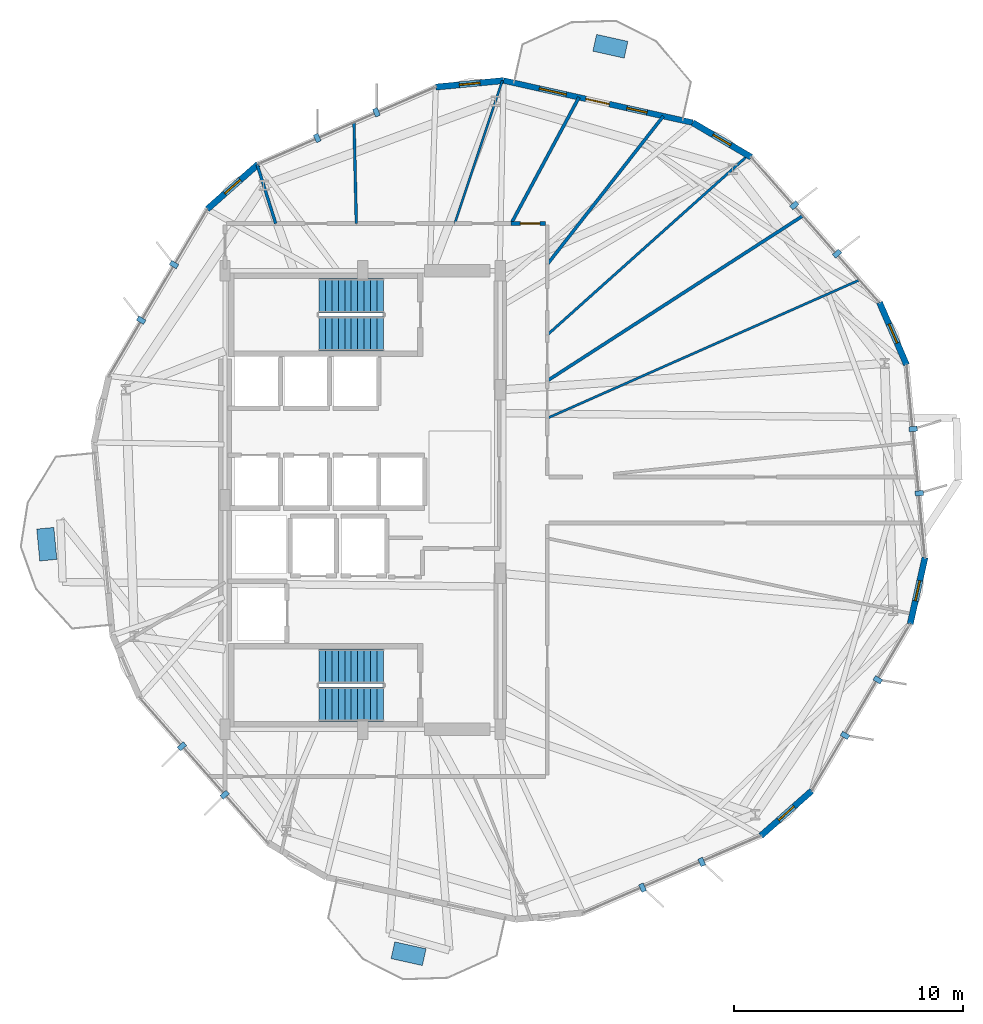
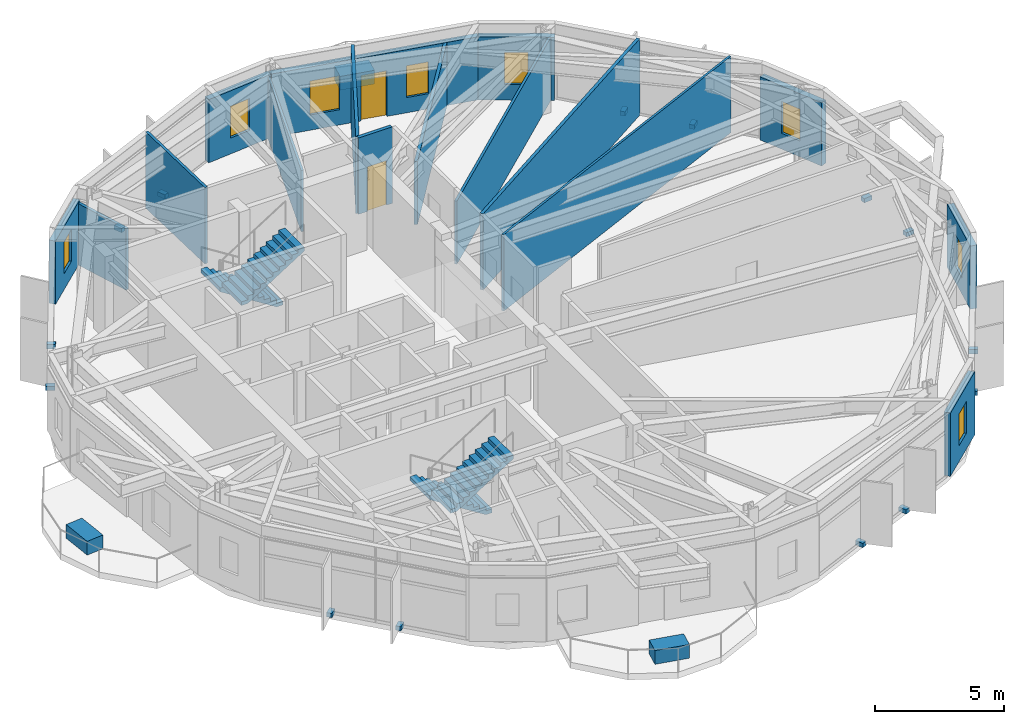
# One storey, part 20 of 23: 17 discrete accessories, 16 walls, 8 windows, 4 stair flights, 2 doors, 10 openings, 2 elements without a shape of their own.
"""IFC4 building model written with IfcOpenShell, lengths in metres."""

from ifc_helpers import new_model, si_unit, direction, frame, frame_2d, origin, origin_2d, place, context, subcontext, project, spatial, polyline, rectangle, outline, extrude, material, layer, layer_set, type_object, element, fill, aggregate, save


model = new_model("IFC4")

# Units and contexts
model_context = context("Model", 3, precision=1e-05, world=origin(), true_north=direction((0.0, 1.0)))
body_context = subcontext(model_context, "Body", "Model", "MODEL_VIEW")
ifc_project = project(units=[si_unit("LENGTHUNIT", "METRE"), si_unit("AREAUNIT", "SQUARE_METRE"), si_unit("VOLUMEUNIT", "CUBIC_METRE"), si_unit("PLANEANGLEUNIT", "RADIAN"), si_unit("MASSUNIT", "GRAM", prefix="KILO")], contexts=[model_context])

# Site, building, storey
site_placement = place(None, origin())
site = spatial("IfcSite", under=ifc_project, at=site_placement, CompositionType="ELEMENT")
building_placement = place(site_placement, origin())
building = spatial("IfcBuilding", under=site, at=building_placement, Name="Soratama Intermodal Tower", CompositionType="ELEMENT")
storey_placement = place(building_placement, frame((0.0, 0.0, 118.60009765625)))
storey = spatial("IfcBuildingStorey", under=building, at=storey_placement, Name="L28", CompositionType="ELEMENT", Elevation=118.60009765625)

# Wall, openings, door, windows
ifc_material_1 = material(Name="Concrete f'c 42 MPa", Category="concrete")
ifc_layer_1 = layer(ifc_material_1, 0.25)
ifc_layer_set_1 = layer_set([ifc_layer_1], Name="Concrete f'c 42 MPa")
wall_type_1 = type_object("IfcWallType", Name="EW-BAL-250", PredefinedType="SOLIDWALL", material=ifc_layer_set_1)
wall_1_placement = place(storey_placement, frame((52.982421875, 41.448974609375, 0.0), z_axis=(0.0, 0.0, 1.0), x_axis=(-0.976144167336, 0.217123385606, 0.0)))
wall_1 = element("IfcWall", 1, at=wall_1_placement, inside=storey, type_object=wall_type_1, Name="L28 Terrace Wall F02", PredefinedType="SOLIDWALL", context=body_context, shape_type="SweptSolid", body=[
    extrude(rectangle(XDim=8.441162109375, YDim=0.25, at=frame_2d((4.220703125, 0.0))), origin(), (0.0, 0.0, 1.0), 2.97900390625),
])
opening_1_placement = place(wall_1_placement, frame((3.720703125, 0.0, 0.0)))
opening_1 = element("IfcOpeningElement", 2, at=opening_1_placement, cuts=wall_1, Name="Opening ED-5", PredefinedType="OPENING", context=body_context, shape_type="SweptSolid", body=[
    extrude(rectangle(XDim=1.050048828125, YDim=2.14990234375, at=frame_2d((0.52490234375, 1.074951171875))), frame((0.0, 0.135009765625, 0.0), z_axis=(0.0, -1.0, 0.0), x_axis=(1.0, 0.0, 0.0)), (0.0, 0.0, 1.0), 0.27001953125),
])
opening_2_placement = place(wall_1_placement, frame((2.035400390625, 0.0, 0.719970703125)))
opening_2 = element("IfcOpeningElement", 3, at=opening_2_placement, cuts=wall_1, Name="Opening WN-6", PredefinedType="OPENING", context=body_context, shape_type="SweptSolid", body=[
    extrude(rectangle(XDim=0.89990234375, YDim=1.5, at=frame_2d((0.449951171875, 0.75))), frame((0.0, 0.135009765625, 0.0), z_axis=(0.0, -1.0, 0.0), x_axis=(1.0, 0.0, 0.0)), (0.0, 0.0, 1.0), 0.27001953125),
])
opening_3_placement = place(wall_1_placement, frame((5.642333984375, 0.0, 0.719970703125)))
opening_3 = element("IfcOpeningElement", 4, at=opening_3_placement, cuts=wall_1, Name="Opening WN-2", PredefinedType="OPENING", context=body_context, shape_type="SweptSolid", body=[
    extrude(rectangle(XDim=1.199951171875, YDim=1.60009765625, at=frame_2d((0.60009765625, 0.800048828125))), frame((0.0, 0.135009765625, 0.0), z_axis=(0.0, -1.0, 0.0), x_axis=(1.0, 0.0, 0.0)), (0.0, 0.0, 1.0), 0.27001953125),
])
ifc_material_2 = material(Name="Double-glazed aluminium door", Category="aluminium")
door_type_1 = type_object("IfcDoorType", Name="DR-BAL-1050", OperationType="NOTDEFINED", PredefinedType="DOOR", material=ifc_material_2)
door_1_placement = place(opening_1_placement, origin())
door_1 = element("IfcDoor", 5, at=door_1_placement, inside=storey, type_object=door_type_1, Name="L28 Balcony Door F02", OperationType="SINGLE_SWING_RIGHT", OverallHeight=2.14990234375, OverallWidth=1.050048828125, PredefinedType="DOOR", context=body_context, shape_type="SweptSolid", body=[
    extrude(rectangle(XDim=1.050048828125, YDim=2.14990234375, at=frame_2d((0.52490234375, 1.074951171875))), frame((0.0, 0.02490234375, 0.0), z_axis=(0.0, -1.0, 0.0), x_axis=(1.0, 0.0, 0.0)), (0.0, 0.0, 1.0), 0.050048828125),
])
fill(opening_1, door_1)
ifc_material_3 = material(Name="Double-glazed aluminium window", Category="aluminium")
window_type_1 = type_object("IfcWindowType", Name="WN-FAC-1200", PartitioningType="SINGLE_PANEL", PredefinedType="WINDOW", material=ifc_material_3)
window_1_placement = place(opening_3_placement, origin())
window_1 = element("IfcWindow", 6, at=window_1_placement, inside=storey, type_object=window_type_1, Name="L28 Window B F02", OverallHeight=1.60009765625, OverallWidth=1.199951171875, PartitioningType="SINGLE_PANEL", PredefinedType="WINDOW", context=body_context, shape_type="SweptSolid", body=[
    extrude(rectangle(XDim=1.199951171875, YDim=1.60009765625, at=frame_2d((0.60009765625, 0.800048828125))), frame((0.0, 0.030029296875, 0.0), z_axis=(0.0, -1.0, 0.0), x_axis=(1.0, 0.0, 0.0)), (0.0, 0.0, 1.0), 0.06005859375),
])
fill(opening_3, window_1)
ifc_material_4 = material(Name="Double-glazed aluminium window", Category="aluminium")
window_type_2 = type_object("IfcWindowType", Name="WN-FAC-900", PartitioningType="SINGLE_PANEL", PredefinedType="WINDOW", material=ifc_material_4)
window_2_placement = place(opening_2_placement, origin())
window_2 = element("IfcWindow", 7, at=window_2_placement, inside=storey, type_object=window_type_2, Name="L28 Window A F02", OverallHeight=1.5, OverallWidth=0.89990234375, PartitioningType="SINGLE_PANEL", PredefinedType="WINDOW", context=body_context, shape_type="SweptSolid", body=[
    extrude(rectangle(XDim=0.89990234375, YDim=1.5, at=frame_2d((0.449951171875, 0.75))), frame((0.0, 0.030029296875, 0.0), z_axis=(0.0, -1.0, 0.0), x_axis=(1.0, 0.0, 0.0)), (0.0, 0.0, 1.0), 0.06005859375),
])
fill(opening_2, window_2)

# Wall, opening, window
ifc_material_5 = material(Name="Concrete f'c 42 MPa", Category="concrete")
ifc_layer_2 = layer(ifc_material_5, 0.27001953125)
ifc_layer_set_2 = layer_set([ifc_layer_2], Name="Concrete f'c 42 MPa")
wall_type_2 = type_object("IfcWallType", Name="EW-CRN-270", PredefinedType="SOLIDWALL", material=ifc_layer_set_2)
wall_2_placement = place(storey_placement, frame((55.53759765625, 39.941650390625, 0.0), z_axis=(0.0, 0.0, 1.0), x_axis=(-0.861303111476, 0.508091478144, 0.0)))
wall_2 = element("IfcWall", 8, at=wall_2_placement, inside=storey, type_object=wall_type_2, Name="L28 Corner Closure Wall 01", PredefinedType="SOLIDWALL", context=body_context, shape_type="SweptSolid", body=[
    extrude(rectangle(XDim=2.966552734375, YDim=0.27001953125, at=frame_2d((1.4833984375, 0.0))), origin(), (0.0, 0.0, 1.0), 2.97900390625),
])
opening_4_placement = place(wall_2_placement, frame((1.033203125, 0.0, 0.75)))
opening_4 = element("IfcOpeningElement", 9, at=opening_4_placement, cuts=wall_2, Name="Opening WN-6", PredefinedType="OPENING", context=body_context, shape_type="SweptSolid", body=[
    extrude(rectangle(XDim=0.89990234375, YDim=1.5, at=frame_2d((0.449951171875, 0.75))), frame((0.0, 0.14501953125, 0.0), z_axis=(0.0, -1.0, 0.0), x_axis=(1.0, 0.0, 0.0)), (0.0, 0.0, 1.0), 0.2900390625),
])
window_3_placement = place(opening_4_placement, origin())
window_3 = element("IfcWindow", 10, at=window_3_placement, inside=storey, type_object=window_type_2, Name="L28 Corner Window 01", OverallHeight=1.5, OverallWidth=0.89990234375, PartitioningType="SINGLE_PANEL", PredefinedType="WINDOW", context=body_context, shape_type="SweptSolid", body=[
    extrude(rectangle(XDim=0.89990234375, YDim=1.5, at=frame_2d((0.449951171875, 0.75))), frame((0.0, 0.030029296875, 0.0), z_axis=(0.0, -1.0, 0.0), x_axis=(1.0, 0.0, 0.0)), (0.0, 0.0, 1.0), 0.06005859375),
])
fill(opening_4, window_3)

wall_3_placement = place(storey_placement, frame((44.74267578125, 43.28173828125, 0.0), z_axis=(0.0, 0.0, 1.0), x_axis=(-0.995464349716, -0.095135316491, 0.0)))
wall_3 = element("IfcWall", 11, at=wall_3_placement, inside=storey, type_object=wall_type_2, Name="L28 Corner Closure Wall 02", PredefinedType="SOLIDWALL", context=body_context, shape_type="SweptSolid", body=[
    extrude(rectangle(XDim=2.966552734375, YDim=0.27001953125, at=frame_2d((1.4833984375, 0.0))), origin(), (0.0, 0.0, 1.0), 2.97900390625),
])
opening_5_placement = place(wall_3_placement, frame((1.033203125, 0.0, 0.75)))
opening_5 = element("IfcOpeningElement", 12, at=opening_5_placement, cuts=wall_3, Name="Opening WN-6", PredefinedType="OPENING", context=body_context, shape_type="SweptSolid", body=[
    extrude(rectangle(XDim=0.89990234375, YDim=1.5, at=frame_2d((0.449951171875, 0.75))), frame((0.0, 0.14501953125, 0.0), z_axis=(0.0, -1.0, 0.0), x_axis=(1.0, 0.0, 0.0)), (0.0, 0.0, 1.0), 0.2900390625),
])
window_4_placement = place(opening_5_placement, origin())
window_4 = element("IfcWindow", 13, at=window_4_placement, inside=storey, type_object=window_type_2, Name="L28 Corner Window 02", OverallHeight=1.5, OverallWidth=0.89990234375, PartitioningType="SINGLE_PANEL", PredefinedType="WINDOW", context=body_context, shape_type="SweptSolid", body=[
    extrude(rectangle(XDim=0.89990234375, YDim=1.5, at=frame_2d((0.449951171875, 0.75))), frame((0.0, 0.030029296875, 0.0), z_axis=(0.0, -1.0, 0.0), x_axis=(1.0, 0.0, 0.0)), (0.0, 0.0, 1.0), 0.06005859375),
])
fill(opening_5, window_4)

wall_4_placement = place(storey_placement, frame((34.0458984375, 39.638916015625, 0.0), z_axis=(0.0, 0.0, 1.0), x_axis=(-0.749417401232, -0.662097846795, 0.0)))
wall_4 = element("IfcWall", 14, at=wall_4_placement, inside=storey, type_object=wall_type_2, Name="L28 Corner Closure Wall 03", PredefinedType="SOLIDWALL", context=body_context, shape_type="SweptSolid", body=[
    extrude(rectangle(XDim=2.966552734375, YDim=0.27001953125, at=frame_2d((1.4833984375, 0.0))), origin(), (0.0, 0.0, 1.0), 2.97900390625),
])
opening_6_placement = place(wall_4_placement, frame((1.033203125, 0.0, 0.75)))
opening_6 = element("IfcOpeningElement", 15, at=opening_6_placement, cuts=wall_4, Name="Opening WN-6", PredefinedType="OPENING", context=body_context, shape_type="SweptSolid", body=[
    extrude(rectangle(XDim=0.89990234375, YDim=1.5, at=frame_2d((0.449951171875, 0.75))), frame((0.0, 0.14501953125, 0.0), z_axis=(0.0, -1.0, 0.0), x_axis=(1.0, 0.0, 0.0)), (0.0, 0.0, 1.0), 0.2900390625),
])
window_5_placement = place(opening_6_placement, origin())
window_5 = element("IfcWindow", 16, at=window_5_placement, inside=storey, type_object=window_type_2, Name="L28 Corner Window 03", OverallHeight=1.5, OverallWidth=0.89990234375, PartitioningType="SINGLE_PANEL", PredefinedType="WINDOW", context=body_context, shape_type="SweptSolid", body=[
    extrude(rectangle(XDim=0.89990234375, YDim=1.5, at=frame_2d((0.449951171875, 0.75))), frame((0.0, 0.030029296875, 0.0), z_axis=(0.0, -1.0, 0.0), x_axis=(1.0, 0.0, 0.0)), (0.0, 0.0, 1.0), 0.06005859375),
])
fill(opening_6, window_5)

wall_5_placement = place(storey_placement, frame((55.9541015625, 10.361083984375, 0.0), z_axis=(0.0, 0.0, 1.0), x_axis=(0.749417401232, 0.662097846795, 0.0)))
wall_5 = element("IfcWall", 17, at=wall_5_placement, inside=storey, type_object=wall_type_2, Name="L28 Corner Closure Wall 08", PredefinedType="SOLIDWALL", context=body_context, shape_type="SweptSolid", body=[
    extrude(rectangle(XDim=2.966552734375, YDim=0.27001953125, at=frame_2d((1.4833984375, 0.0))), origin(), (0.0, 0.0, 1.0), 2.97900390625),
])
opening_7_placement = place(wall_5_placement, frame((1.033203125, 0.0, 0.75)))
opening_7 = element("IfcOpeningElement", 18, at=opening_7_placement, cuts=wall_5, Name="Opening WN-6", PredefinedType="OPENING", context=body_context, shape_type="SweptSolid", body=[
    extrude(rectangle(XDim=0.89990234375, YDim=1.5, at=frame_2d((0.449951171875, 0.75))), frame((0.0, 0.14501953125, 0.0), z_axis=(0.0, -1.0, 0.0), x_axis=(1.0, 0.0, 0.0)), (0.0, 0.0, 1.0), 0.2900390625),
])
window_6_placement = place(opening_7_placement, origin())
window_6 = element("IfcWindow", 19, at=window_6_placement, inside=storey, type_object=window_type_2, Name="L28 Corner Window 08", OverallHeight=1.5, OverallWidth=0.89990234375, PartitioningType="SINGLE_PANEL", PredefinedType="WINDOW", context=body_context, shape_type="SweptSolid", body=[
    extrude(rectangle(XDim=0.89990234375, YDim=1.5, at=frame_2d((0.449951171875, 0.75))), frame((0.0, 0.030029296875, 0.0), z_axis=(0.0, -1.0, 0.0), x_axis=(1.0, 0.0, 0.0)), (0.0, 0.0, 1.0), 0.06005859375),
])
fill(opening_7, window_6)

wall_6_placement = place(storey_placement, frame((62.466552734375, 19.595458984375, 0.0), z_axis=(0.0, 0.0, 1.0), x_axis=(0.217104734575, 0.97614831569, 0.0)))
wall_6 = element("IfcWall", 20, at=wall_6_placement, inside=storey, type_object=wall_type_2, Name="L28 Corner Closure Wall 09", PredefinedType="SOLIDWALL", context=body_context, shape_type="SweptSolid", body=[
    extrude(rectangle(XDim=2.966552734375, YDim=0.27001953125, at=frame_2d((1.4833984375, 0.0))), origin(), (0.0, 0.0, 1.0), 2.97900390625),
])
opening_8_placement = place(wall_6_placement, frame((1.033203125, 0.0, 0.75)))
opening_8 = element("IfcOpeningElement", 21, at=opening_8_placement, cuts=wall_6, Name="Opening WN-6", PredefinedType="OPENING", context=body_context, shape_type="SweptSolid", body=[
    extrude(rectangle(XDim=0.89990234375, YDim=1.5, at=frame_2d((0.449951171875, 0.75))), frame((0.0, 0.14501953125, 0.0), z_axis=(0.0, -1.0, 0.0), x_axis=(1.0, 0.0, 0.0)), (0.0, 0.0, 1.0), 0.2900390625),
])
window_7_placement = place(opening_8_placement, origin())
window_7 = element("IfcWindow", 22, at=window_7_placement, inside=storey, type_object=window_type_2, Name="L28 Corner Window 09", OverallHeight=1.5, OverallWidth=0.89990234375, PartitioningType="SINGLE_PANEL", PredefinedType="WINDOW", context=body_context, shape_type="SweptSolid", body=[
    extrude(rectangle(XDim=0.89990234375, YDim=1.5, at=frame_2d((0.449951171875, 0.75))), frame((0.0, 0.030029296875, 0.0), z_axis=(0.0, -1.0, 0.0), x_axis=(1.0, 0.0, 0.0)), (0.0, 0.0, 1.0), 0.06005859375),
])
fill(opening_8, window_7)

wall_7_placement = place(storey_placement, frame((62.3076171875, 30.894287109375, 0.0), z_axis=(0.0, 0.0, 1.0), x_axis=(-0.398166294024, 0.917313252004, 0.0)))
wall_7 = element("IfcWall", 23, at=wall_7_placement, inside=storey, type_object=wall_type_2, Name="L28 Corner Closure Wall 10", PredefinedType="SOLIDWALL", context=body_context, shape_type="SweptSolid", body=[
    extrude(rectangle(XDim=2.966552734375, YDim=0.27001953125, at=frame_2d((1.4833984375, 0.0))), origin(), (0.0, 0.0, 1.0), 2.97900390625),
])
opening_9_placement = place(wall_7_placement, frame((1.033203125, 0.0, 0.75)))
opening_9 = element("IfcOpeningElement", 24, at=opening_9_placement, cuts=wall_7, Name="Opening WN-6", PredefinedType="OPENING", context=body_context, shape_type="SweptSolid", body=[
    extrude(rectangle(XDim=0.89990234375, YDim=1.5, at=frame_2d((0.449951171875, 0.75))), frame((0.0, 0.14501953125, 0.0), z_axis=(0.0, -1.0, 0.0), x_axis=(1.0, 0.0, 0.0)), (0.0, 0.0, 1.0), 0.2900390625),
])
window_8_placement = place(opening_9_placement, origin())
window_8 = element("IfcWindow", 25, at=window_8_placement, inside=storey, type_object=window_type_2, Name="L28 Corner Window 10", OverallHeight=1.5, OverallWidth=0.89990234375, PartitioningType="SINGLE_PANEL", PredefinedType="WINDOW", context=body_context, shape_type="SweptSolid", body=[
    extrude(rectangle(XDim=0.89990234375, YDim=1.5, at=frame_2d((0.449951171875, 0.75))), frame((0.0, 0.030029296875, 0.0), z_axis=(0.0, -1.0, 0.0), x_axis=(1.0, 0.0, 0.0)), (0.0, 0.0, 1.0), 0.06005859375),
])
fill(opening_9, window_8)

# Wall, opening, door
ifc_material_6 = material(Name="Fire-rated gypsum stud partition", Category="concrete")
ifc_layer_3 = layer(ifc_material_6, 0.159912109375)
ifc_layer_set_3 = layer_set([ifc_layer_3], Name="Fire-rated gypsum stud partition")
wall_type_3 = type_object("IfcWallType", Name="IW-PART-R160", PredefinedType="PARTITIONING", material=ifc_layer_set_3)
wall_8_placement = place(storey_placement, frame((45.073974609375, 37.050048828125, 0.0), z_axis=(0.0, 0.0, 1.0), x_axis=(1.0, 0.0, 0.0)))
wall_8 = element("IfcWall", 26, at=wall_8_placement, inside=storey, type_object=wall_type_3, Name="L28 Partition W-L28-TP033", PredefinedType="PARTITIONING", context=body_context, shape_type="SweptSolid", body=[
    extrude(rectangle(XDim=1.506103515625, YDim=0.159912109375, at=frame_2d((0.7529296875, 0.0))), origin(), (0.0, 0.0, 1.0), 3.599853515625),
])
opening_10_placement = place(wall_8_placement, frame((0.403076171875, 0.0, 0.0)))
opening_10 = element("IfcOpeningElement", 27, at=opening_10_placement, cuts=wall_8, Name="Opening ID-4", PredefinedType="OPENING", context=body_context, shape_type="SweptSolid", body=[
    extrude(rectangle(XDim=0.85009765625, YDim=2.10009765625, at=frame_2d((0.425048828125, 1.050048828125))), frame((0.0, 0.08984375, 0.0), z_axis=(0.0, -1.0, 0.0), x_axis=(1.0, 0.0, 0.0)), (0.0, 0.0, 1.0), 0.179931640625),
])
ifc_material_7 = material(Name="Solid hardwood acoustic door", Category="wood")
door_type_2 = type_object("IfcDoorType", Name="DR-BATH-850", OperationType="NOTDEFINED", PredefinedType="DOOR", material=ifc_material_7)
door_2_placement = place(opening_10_placement, origin())
door_2 = element("IfcDoor", 28, at=door_2_placement, inside=storey, type_object=door_type_2, Name="L28 Door D-L28-TP016", OperationType="SINGLE_SWING_LEFT", OverallHeight=2.10009765625, OverallWidth=0.85009765625, PredefinedType="DOOR", context=body_context, shape_type="SweptSolid", body=[
    extrude(rectangle(XDim=0.85009765625, YDim=2.10009765625, at=frame_2d((0.425048828125, 1.050048828125))), frame((0.0, 0.02490234375, 0.0), z_axis=(0.0, -1.0, 0.0), x_axis=(1.0, 0.0, 0.0)), (0.0, 0.0, 1.0), 0.050048828125),
])
fill(opening_10, door_2)

# Walls
ifc_material_8 = material(Name="Fire-rated gypsum stud partition", Category="concrete")
ifc_layer_4 = layer(ifc_material_8, 0.10009765625)
ifc_layer_set_4 = layer_set([ifc_layer_4], Name="Fire-rated gypsum stud partition")
wall_type_4 = type_object("IfcWallType", Name="IW-PART-S100", PredefinedType="PARTITIONING", material=ifc_layer_set_4)
wall_9_placement = place(storey_placement, frame((46.64990234375, 28.56591796875, 0.0), z_axis=(0.0, 0.0, 1.0), x_axis=(0.914352425523, 0.404919302997, 0.0)))
element("IfcWall", 29, at=wall_9_placement, inside=storey, type_object=wall_type_4, Name="L28 Partition W-L28-TP003", PredefinedType="PARTITIONING", context=body_context, shape_type="SweptSolid", body=[
    extrude(rectangle(XDim=14.88720703125, YDim=0.10009765625, at=frame_2d((7.443603515625, 0.0))), origin(), (0.0, 0.0, 1.0), 3.599853515625),
])
wall_10_placement = place(storey_placement, frame((42.614013671875, 37.050048828125, 0.0), z_axis=(0.0, 0.0, 1.0), x_axis=(0.316038292766, 0.948746434779, 0.0)))
element("IfcWall", 30, at=wall_10_placement, inside=storey, type_object=wall_type_4, Name="L28 Partition W-L28-TP013", PredefinedType="PARTITIONING", context=body_context, shape_type="SweptSolid", body=[
    extrude(rectangle(XDim=6.57177734375, YDim=0.10009765625, at=frame_2d((3.285888671875, 0.0))), origin(), (0.0, 0.0, 1.0), 2.89501953125),
])
ifc_material_9 = material(Name="Fire-rated gypsum stud partition", Category="concrete")
ifc_layer_5 = layer(ifc_material_9, 0.110107421875)
ifc_layer_set_5 = layer_set([ifc_layer_5], Name="Fire-rated gypsum stud partition")
wall_type_5 = type_object("IfcWallType", Name="IW-PART-S110", PredefinedType="PARTITIONING", material=ifc_layer_set_5)
wall_11_placement = place(storey_placement, frame((46.64990234375, 32.198974609375, 0.0), z_axis=(0.0, 0.0, 1.0), x_axis=(0.745371029952, 0.666649853903, 0.0)))
element("IfcWall", 31, at=wall_11_placement, inside=storey, type_object=wall_type_5, Name="L28 Partition W-L28-TP007", PredefinedType="PARTITIONING", context=body_context, shape_type="SweptSolid", body=[
    extrude(rectangle(XDim=11.763427734375, YDim=0.110107421875, at=frame_2d((5.8818359375, 0.0))), origin(), (0.0, 0.0, 1.0), 2.977783203125),
])
ifc_material_10 = material(Name="Fire-rated gypsum stud partition", Category="concrete")
ifc_layer_6 = layer(ifc_material_10, 0.1201171875)
ifc_layer_set_6 = layer_set([ifc_layer_6], Name="Fire-rated gypsum stud partition")
wall_type_6 = type_object("IfcWallType", Name="IW-PART-S120", PredefinedType="PARTITIONING", material=ifc_layer_set_6)
wall_12_placement = place(storey_placement, frame((38.323974609375, 37.050048828125, 0.0), z_axis=(0.0, 0.0, 1.0), x_axis=(-0.022955679658, 0.999736483665, 0.0)))
element("IfcWall", 32, at=wall_12_placement, inside=storey, type_object=wall_type_6, Name="L28 Partition W-L28-TP016", PredefinedType="PARTITIONING", context=body_context, shape_type="SweptSolid", body=[
    extrude(rectangle(XDim=4.403076171875, YDim=0.1201171875, at=frame_2d((2.20166015625, 0.0))), origin(), (0.0, 0.0, 1.0), 3.599853515625),
])
ifc_material_11 = material(Name="Fire-rated gypsum stud partition", Category="concrete")
ifc_layer_7 = layer(ifc_material_11, 0.1298828125)
ifc_layer_set_7 = layer_set([ifc_layer_7], Name="Fire-rated gypsum stud partition")
wall_type_7 = type_object("IfcWallType", Name="IW-PART-S130", PredefinedType="PARTITIONING", material=ifc_layer_set_7)
wall_13_placement = place(storey_placement, frame((34.81005859375, 37.050048828125, 0.0), z_axis=(0.0, 0.0, 1.0), x_axis=(-0.300148034825, 0.953892633995, 0.0)))
element("IfcWall", 33, at=wall_13_placement, inside=storey, type_object=wall_type_7, Name="L28 Partition W-L28-TP025", PredefinedType="PARTITIONING", context=body_context, shape_type="SweptSolid", body=[
    extrude(rectangle(XDim=2.685791015625, YDim=0.1298828125, at=frame_2d((1.3427734375, 0.0))), origin(), (0.0, 0.0, 1.0), 2.89501953125),
])
ifc_material_12 = material(Name="Fire-rated gypsum stud partition", Category="concrete")
ifc_layer_8 = layer(ifc_material_12, 0.139892578125)
ifc_layer_set_8 = layer_set([ifc_layer_8], Name="Fire-rated gypsum stud partition")
wall_type_8 = type_object("IfcWallType", Name="IW-PART-S140", PredefinedType="PARTITIONING", material=ifc_layer_set_8)
wall_14_placement = place(storey_placement, frame((46.64990234375, 30.197021484375, 0.0), z_axis=(0.0, 0.0, 1.0), x_axis=(0.840080974796, 0.542461017757, 0.0)))
element("IfcWall", 34, at=wall_14_placement, inside=storey, type_object=wall_type_8, Name="L28 Partition W-L28-TP004", PredefinedType="PARTITIONING", context=body_context, shape_type="SweptSolid", body=[
    extrude(rectangle(XDim=13.261962890625, YDim=0.139892578125, at=frame_2d((6.630859375, 0.0))), origin(), (0.0, 0.0, 1.0), 3.599853515625),
])
wall_15_placement = place(storey_placement, frame((46.64990234375, 35.277099609375, 0.0), z_axis=(0.0, 0.0, 1.0), x_axis=(0.616667817641, 0.787223476966, 0.0)))
element("IfcWall", 35, at=wall_15_placement, inside=storey, type_object=wall_type_8, Name="L28 Partition W-L28-TP009", PredefinedType="PARTITIONING", context=body_context, shape_type="SweptSolid", body=[
    extrude(rectangle(XDim=8.20068359375, YDim=0.139892578125, at=frame_2d((4.100341796875, 0.0))), origin(), (0.0, 0.0, 1.0), 2.977783203125),
])
wall_16_placement = place(storey_placement, frame((45.073974609375, 37.050048828125, 0.0), z_axis=(0.0, 0.0, 1.0), x_axis=(0.473353633423, 0.880872486644, 0.0)))
element("IfcWall", 36, at=wall_16_placement, inside=storey, type_object=wall_type_8, Name="L28 Partition W-L28-TP014", PredefinedType="PARTITIONING", context=body_context, shape_type="SweptSolid", body=[
    extrude(rectangle(XDim=6.244873046875, YDim=0.139892578125, at=frame_2d((3.12255859375, 0.0))), origin(), (0.0, 0.0, 1.0), 3.599853515625),
])

# Stair, stair flights
ifc_material_13 = material(Name="Concrete f'c 42 MPa", Category="concrete")
stair_type = type_object("IfcStairType", Name="ST-CORE-DOGLEG", PredefinedType="HALF_TURN_STAIR", material=ifc_material_13)
stair_1_placement = place(storey_placement, origin())
stair_1 = element("IfcStair", 37, at=stair_1_placement, inside=storey, type_object=stair_type, Name="L28 ST-1", PredefinedType="HALF_TURN_STAIR")
ifc_material_14 = material(Name="Precast concrete f'c 40 MPa", Category="concrete")
ifc_layer_9 = layer(ifc_material_14, 0.199951171875)
ifc_layer_set_9 = layer_set([ifc_layer_9], Name="Precast concrete f'c 40 MPa")
stair_flight_type = type_object("IfcStairFlightType", Name="SF-FLIGHT-RC", PredefinedType="STRAIGHT", material=ifc_layer_set_9)
stair_flight_1_placement = place(storey_placement, frame((39.5, 17.75, 0.0), z_axis=(0.0, 0.0, 1.0), x_axis=(-1.0, 0.0, 0.0)))
stair_flight_1 = element("IfcStairFlight", 38, at=stair_flight_1_placement, type_object=stair_flight_type, Name="ST-1 flight 1", NumberOfRisers=11, NumberOfTreads=10, PredefinedType="STRAIGHT", RiserHeight=0.177272727, TreadLength=0.28, context=body_context, shape_type="SweptSolid", body=[
    extrude(outline(polyline([(0.0, 0.0), (0.0, 0.17724609375), (0.280029296875, 0.17724609375), (0.280029296875, 0.3544921875), (0.56005859375, 0.3544921875), (0.56005859375, 0.53173828125), (0.840087890625, 0.53173828125), (0.840087890625, 0.708984375), (1.1201171875, 0.708984375), (1.1201171875, 0.886474609375), (1.39990234375, 0.886474609375), (1.39990234375, 1.063720703125), (1.679931640625, 1.063720703125), (1.679931640625, 1.240966796875), (1.9599609375, 1.240966796875), (1.9599609375, 1.418212890625), (2.239990234375, 1.418212890625), (2.239990234375, 1.595458984375), (2.52001953125, 1.595458984375), (2.52001953125, 1.772705078125), (2.800048828125, 1.772705078125), (2.800048828125, 1.949951171875), (2.800048828125, 1.59521484375), (0.2802734375, 0.0), (0.0, 0.0)])), frame((0.0, 0.75, 0.0), z_axis=(0.0, -1.0, 0.0), x_axis=(1.0, 0.0, 0.0)), (0.0, 0.0, 1.0), 1.5),
])
stair_flight_2_placement = place(storey_placement, frame((36.699951171875, 16.10009765625, 1.949951171875), z_axis=(0.0, 0.0, 1.0), x_axis=(1.0, 0.0, 0.0)))
stair_flight_2 = element("IfcStairFlight", 39, at=stair_flight_2_placement, type_object=stair_flight_type, Name="ST-1 flight 2", NumberOfRisers=11, NumberOfTreads=10, PredefinedType="STRAIGHT", RiserHeight=0.177272727, TreadLength=0.28, context=body_context, shape_type="SweptSolid", body=[
    extrude(outline(polyline([(0.0, 0.0), (0.0, 0.17724609375), (0.280029296875, 0.17724609375), (0.280029296875, 0.3544921875), (0.56005859375, 0.3544921875), (0.56005859375, 0.53173828125), (0.840087890625, 0.53173828125), (0.840087890625, 0.708984375), (1.1201171875, 0.708984375), (1.1201171875, 0.886474609375), (1.39990234375, 0.886474609375), (1.39990234375, 1.063720703125), (1.679931640625, 1.063720703125), (1.679931640625, 1.240966796875), (1.9599609375, 1.240966796875), (1.9599609375, 1.418212890625), (2.239990234375, 1.418212890625), (2.239990234375, 1.595458984375), (2.52001953125, 1.595458984375), (2.52001953125, 1.772705078125), (2.800048828125, 1.772705078125), (2.800048828125, 1.949951171875), (2.800048828125, 1.59521484375), (0.2802734375, 0.0), (0.0, 0.0)])), frame((0.0, 0.75, 0.0), z_axis=(0.0, -1.0, 0.0), x_axis=(1.0, 0.0, 0.0)), (0.0, 0.0, 1.0), 1.5),
])
aggregate(stair_1, [stair_flight_1, stair_flight_2])

stair_2_placement = place(storey_placement, origin())
stair_2 = element("IfcStair", 40, at=stair_2_placement, inside=storey, type_object=stair_type, Name="L28 ST-2", PredefinedType="HALF_TURN_STAIR")
stair_flight_3_placement = place(storey_placement, frame((39.5, 33.89990234375, 0.0), z_axis=(0.0, 0.0, 1.0), x_axis=(-1.0, 0.0, 0.0)))
stair_flight_3 = element("IfcStairFlight", 41, at=stair_flight_3_placement, type_object=stair_flight_type, Name="ST-2 flight 1", NumberOfRisers=11, NumberOfTreads=10, PredefinedType="STRAIGHT", RiserHeight=0.177272727, TreadLength=0.28, context=body_context, shape_type="SweptSolid", body=[
    extrude(outline(polyline([(0.0, 0.0), (0.0, 0.17724609375), (0.280029296875, 0.17724609375), (0.280029296875, 0.3544921875), (0.56005859375, 0.3544921875), (0.56005859375, 0.53173828125), (0.840087890625, 0.53173828125), (0.840087890625, 0.708984375), (1.1201171875, 0.708984375), (1.1201171875, 0.886474609375), (1.39990234375, 0.886474609375), (1.39990234375, 1.063720703125), (1.679931640625, 1.063720703125), (1.679931640625, 1.240966796875), (1.9599609375, 1.240966796875), (1.9599609375, 1.418212890625), (2.239990234375, 1.418212890625), (2.239990234375, 1.595458984375), (2.52001953125, 1.595458984375), (2.52001953125, 1.772705078125), (2.800048828125, 1.772705078125), (2.800048828125, 1.949951171875), (2.800048828125, 1.59521484375), (0.2802734375, 0.0), (0.0, 0.0)])), frame((0.0, 0.75, 0.0), z_axis=(0.0, -1.0, 0.0), x_axis=(1.0, 0.0, 0.0)), (0.0, 0.0, 1.0), 1.5),
])
stair_flight_4_placement = place(storey_placement, frame((36.699951171875, 32.25, 1.949951171875), z_axis=(0.0, 0.0, 1.0), x_axis=(1.0, 0.0, 0.0)))
stair_flight_4 = element("IfcStairFlight", 42, at=stair_flight_4_placement, type_object=stair_flight_type, Name="ST-2 flight 2", NumberOfRisers=11, NumberOfTreads=10, PredefinedType="STRAIGHT", RiserHeight=0.177272727, TreadLength=0.28, context=body_context, shape_type="SweptSolid", body=[
    extrude(outline(polyline([(0.0, 0.0), (0.0, 0.17724609375), (0.280029296875, 0.17724609375), (0.280029296875, 0.3544921875), (0.56005859375, 0.3544921875), (0.56005859375, 0.53173828125), (0.840087890625, 0.53173828125), (0.840087890625, 0.708984375), (1.1201171875, 0.708984375), (1.1201171875, 0.886474609375), (1.39990234375, 0.886474609375), (1.39990234375, 1.063720703125), (1.679931640625, 1.063720703125), (1.679931640625, 1.240966796875), (1.9599609375, 1.240966796875), (1.9599609375, 1.418212890625), (2.239990234375, 1.418212890625), (2.239990234375, 1.595458984375), (2.52001953125, 1.595458984375), (2.52001953125, 1.772705078125), (2.800048828125, 1.772705078125), (2.800048828125, 1.949951171875), (2.800048828125, 1.59521484375), (0.2802734375, 0.0), (0.0, 0.0)])), frame((0.0, 0.75, 0.0), z_axis=(0.0, -1.0, 0.0), x_axis=(1.0, 0.0, 0.0)), (0.0, 0.0, 1.0), 1.5),
])
aggregate(stair_2, [stair_flight_3, stair_flight_4])

# Discrete accessories
ifc_material_15 = material(Name="Structural steel ASTM A992 Grade 50", Category="steel")
discrete_accessory_type_1 = type_object("IfcDiscreteAccessoryType", Name="AC-FIN-BRACKET", PredefinedType="BRACKET", material=ifc_material_15)
for number, where, z_axis, x_axis, name in (
    (43, (59.278564453125, 35.7373046875, -0.080078125), (0.0, 0.0, 1.0), (0.749418134297, 0.662097017051, 0.0), "L28 Fin Bracket F01-1"),
    (44, (57.41552734375, 37.84619140625, -0.080078125), (0.0, 0.0, 1.0), (0.749418134297, 0.662097017051, 0.0), "L28 Fin Bracket F01-2"),
    (45, (39.200439453125, 41.897705078125, -0.080078125), (0.0, 0.0, 1.0), (-0.398108743095, 0.917338230246, 0.0), "L28 Fin Bracket F03-1"),
    (46, (36.619140625, 40.777587890625, -0.080078125), (0.0, 0.0, 1.0), (-0.398108743095, 0.917338230246, 0.0), "L28 Fin Bracket F03-2"),
    (47, (30.375732421875, 35.26171875, -0.080078125), (0.0, 0.0, 1.0), (-0.861274621876, 0.508139769859, 0.0), "L28 Fin Bracket F04-1"),
    (48, (28.946044921875, 32.838134765625, -0.080078125), (0.0, 0.0, 1.0), (-0.861274621876, 0.508139769859, 0.0), "L28 Fin Bracket F04-2"),
    (49, (30.721435546875, 14.2626953125, -0.080078125), (0.0, 0.0, 1.0), (-0.749418134297, -0.662097017051, 0.0), "L28 Fin Bracket F06-1"),
    (50, (32.58447265625, 12.15380859375, -0.080078125), (0.0, 0.0, 1.0), (-0.749418134297, -0.662097017051, 0.0), "L28 Fin Bracket F06-2"),
    (51, (50.799560546875, 8.102294921875, -0.080078125), (0.0, 0.0, 1.0), (0.398108743095, -0.917338230246, 0.0), "L28 Fin Bracket F08-1"),
    (52, (53.380859375, 9.222412109375, -0.080078125), (0.0, 0.0, 1.0), (0.398108743095, -0.917338230246, 0.0), "L28 Fin Bracket F08-2"),
    (53, (59.624267578125, 14.73828125, -0.080078125), (0.0, 0.0, 1.0), (0.861274621876, -0.508139769859, 0.0), "L28 Fin Bracket F09-1"),
    (54, (61.053955078125, 17.161865234375, -0.080078125), (0.0, 0.0, 1.0), (0.861274621876, -0.508139769859, 0.0), "L28 Fin Bracket F09-2"),
    (55, (62.86279296875, 25.294189453125, -0.080078125), (0.0, 0.0, 1.0), (0.995462868748, 0.095150811579, 0.0), "L28 Fin Bracket F10-1"),
    (56, (62.59521484375, 28.09521484375, -0.080078125), (0.0, 0.0, 1.0), (0.995462868748, 0.095150811579, 0.0), "L28 Fin Bracket F10-2"),
):
    element("IfcDiscreteAccessory", number, at=place(storey_placement, frame(where, z_axis=z_axis, x_axis=x_axis)), inside=storey, type_object=discrete_accessory_type_1, Name=name, PredefinedType="BRACKET", context=body_context, shape_type="SweptSolid", body=[
        extrude(rectangle(XDim=0.360107421875, YDim=0.219970703125, at=origin_2d()), origin(), (0.0, 0.0, 1.0), 0.199951171875),
    ])
ifc_material_16 = material(Name="Precast concrete f'c 40 MPa", Category="concrete")
discrete_accessory_type_2 = type_object("IfcDiscreteAccessoryType", Name="AC-PLANTER-TREE", PredefinedType="USERDEFINED", material=ifc_material_16)
for number, where, z_axis, x_axis, name in (
    (57, (49.398681640625, 44.776611328125, 0.0), (0.0, 0.0, 1.0), (0.21712114433, 0.976144665859, 0.0), "L28 Tree Planter 1"),
    (58, (24.83203125, 23.072265625, 0.0), (0.0, 0.0, 1.0), (-0.995462868748, -0.095150811579, 0.0), "L28 Tree Planter 2"),
    (59, (40.601318359375, 5.223388671875, 0.0), (0.0, 0.0, 1.0), (-0.21712114433, -0.976144665859, 0.0), "L28 Tree Planter 3"),
):
    element("IfcDiscreteAccessory", number, at=place(storey_placement, frame(where, z_axis=z_axis, x_axis=x_axis)), inside=storey, type_object=discrete_accessory_type_2, Name=name, ObjectType="PLANTER", PredefinedType="USERDEFINED", context=body_context, shape_type="SweptSolid", body=[
        extrude(rectangle(XDim=0.75, YDim=1.39990234375, at=origin_2d()), origin(), (0.0, 0.0, 1.0), 0.64990234375),
    ])

save(model, "model.ifc")
